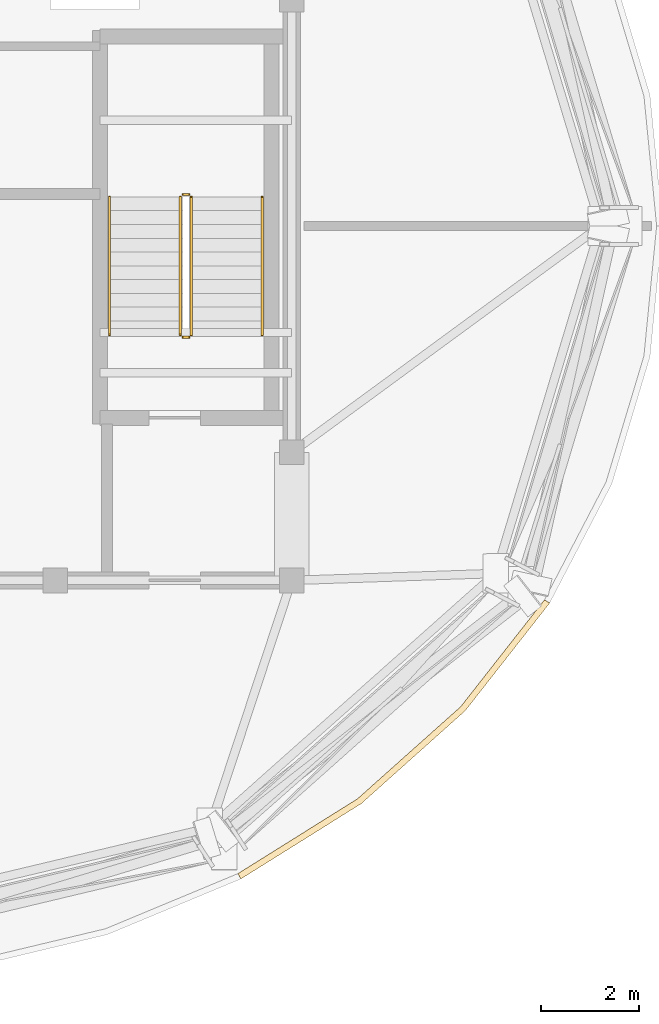
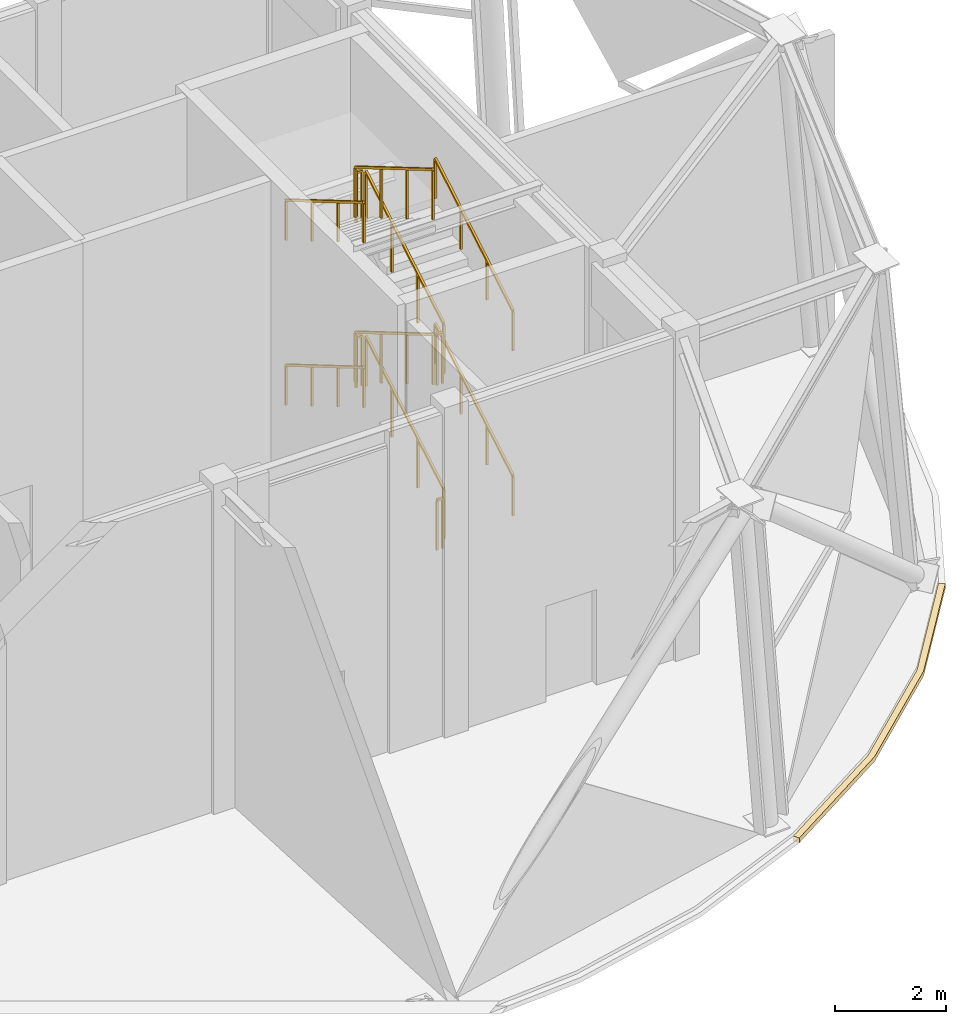
# One storey, part 8 of 9: 12 railings, 1 covering.
"""IFC4 building model written with IfcOpenShell, lengths in metres."""

from ifc_helpers import new_model, si_unit, direction, frame, origin, origin_2d, place, context, subcontext, project, spatial, polyline, rectangle, outline, extrude, material, layer, layer_set, type_object, element, save


model = new_model("IFC4")

# Units and contexts
model_context = context("Model", 3, precision=1e-05, world=origin(), true_north=direction((0.0, 1.0)))
body_context = subcontext(model_context, "Body", "Model", "MODEL_VIEW")
ifc_project = project(units=[si_unit("LENGTHUNIT", "METRE"), si_unit("AREAUNIT", "SQUARE_METRE"), si_unit("VOLUMEUNIT", "CUBIC_METRE"), si_unit("PLANEANGLEUNIT", "RADIAN"), si_unit("MASSUNIT", "GRAM", prefix="KILO")], contexts=[model_context])

# Site, building, storey
site_placement = place(None, origin())
site = spatial("IfcSite", under=ifc_project, at=site_placement, CompositionType="ELEMENT")
building_placement = place(site_placement, origin())
building = spatial("IfcBuilding", under=site, at=building_placement, Name="Vantalir Tower", CompositionType="ELEMENT")
storey_placement = place(building_placement, frame((0.0, 0.0, 311.75)))
storey = spatial("IfcBuildingStorey", under=building, at=storey_placement, Name="L77", CompositionType="ELEMENT", Elevation=311.75)

# Covering
ifc_material_1 = material(Name="Anodised champagne aluminium sill fascia", Category="aluminium")
ifc_layer = layer(ifc_material_1, 0.125)
ifc_layer_set = layer_set([ifc_layer], Name="Anodised champagne aluminium sill fascia")
covering_type = type_object("IfcCoveringType", Name="COV-SLAB-FASCIA-125", PredefinedType="CLADDING", material=ifc_layer_set)
covering_placement = place(storey_placement, frame((0.0, 0.0, -0.179931640625)))
element("IfcCovering", 1, at=covering_placement, inside=storey, type_object=covering_type, Name="L77 Perimeter Slab-Edge Sill Fascia 11", PredefinedType="CLADDING", context=body_context, shape_type="SweptSolid", body=[
    extrude(outline(polyline([(40.069091796875, 11.737060546875), (42.51611328125, 13.26806640625), (44.6279296875, 15.156005859375), (46.342041015625, 17.342041015625), (46.23388671875, 17.405029296875), (44.532958984375, 15.236083984375), (42.43603515625, 13.364013671875), (40.007080078125, 11.844970703125), (40.069091796875, 11.737060546875)])), origin(), (0.0, 0.0, 1.0), 0.10498046875),
])

# Railings
ifc_material_2 = material(Name="Anodised aluminium and stainless steel guard", Category="steel")
railing_type_1 = type_object("IfcRailingType", Name="RAL-GUARD-1120", PredefinedType="GUARDRAIL", material=ifc_material_2)
railing_1_placement = place(storey_placement, frame((39.06005859375, 22.7900390625, 0.164794921875)))
element("IfcRailing", 2, at=railing_1_placement, inside=storey, type_object=railing_type_1, Name="L77 ST2 stair guard 1", PredefinedType="GUARDRAIL", context=body_context, shape_type="SweptSolid", body=[
    extrude(rectangle(XDim=0.048095703125, YDim=0.048095703125, at=origin_2d()), frame((0.0, 0.0, 1.09619140625), z_axis=(0.0, 0.861851137157, 0.507161332695), x_axis=(-1.0, 0.0, 0.0)), (0.0, 0.0, 1.0), 3.248779296875),
    extrude(rectangle(XDim=0.0419921875, YDim=0.0419921875, at=origin_2d()), origin(), (0.0, 0.0, 1.0), 1.072021484375),
    extrude(rectangle(XDim=0.0419921875, YDim=0.0419921875, at=origin_2d()), frame((0.0, 0.933349609375, 0.54931640625)), (0.0, 0.0, 1.0), 1.072021484375),
    extrude(rectangle(XDim=0.0419921875, YDim=0.0419921875, at=origin_2d()), frame((0.0, 1.86669921875, 1.098388671875)), (0.0, 0.0, 1.0), 1.072021484375),
    extrude(rectangle(XDim=0.0419921875, YDim=0.0419921875, at=origin_2d()), frame((0.0, 2.800048828125, 1.647705078125)), (0.0, 0.0, 1.0), 1.072021484375),
])
railing_2_placement = place(storey_placement, frame((39.010009765625, 25.639892578125, 1.8125)))
element("IfcRailing", 3, at=railing_2_placement, inside=storey, type_object=railing_type_1, Name="L77 ST2 stair guard 2", PredefinedType="GUARDRAIL", context=body_context, shape_type="SweptSolid", body=[
    extrude(rectangle(XDim=0.048095703125, YDim=0.048095703125, at=origin_2d()), frame((0.0, 0.0, 1.09619140625), z_axis=(-1.0, 0.0, 0.0), x_axis=(0.0, -1.0, 0.0)), (0.0, 0.0, 1.0), 0.1201171875),
    extrude(rectangle(XDim=0.0419921875, YDim=0.0419921875, at=origin_2d()), origin(), (0.0, 0.0, 1.0), 1.072021484375),
    extrude(rectangle(XDim=0.0419921875, YDim=0.0419921875, at=origin_2d()), frame((-0.1201171875, 0.0, 0.0)), (0.0, 0.0, 1.0), 1.072021484375),
])
railing_3_placement = place(storey_placement, frame((38.840087890625, 25.590087890625, 1.977294921875)))
element("IfcRailing", 4, at=railing_3_placement, inside=storey, type_object=railing_type_1, Name="L77 ST2 stair guard 3", PredefinedType="GUARDRAIL", context=body_context, shape_type="SweptSolid", body=[
    extrude(rectangle(XDim=0.048095703125, YDim=0.048095703125, at=origin_2d()), frame((0.0, 0.0, 1.09619140625), z_axis=(0.0, -0.861851137157, 0.507161332695), x_axis=(1.0, 0.0, 0.0)), (0.0, 0.0, 1.0), 3.248779296875),
    extrude(rectangle(XDim=0.0419921875, YDim=0.0419921875, at=origin_2d()), origin(), (0.0, 0.0, 1.0), 1.072021484375),
    extrude(rectangle(XDim=0.0419921875, YDim=0.0419921875, at=origin_2d()), frame((0.0, -0.933349609375, 0.54931640625)), (0.0, 0.0, 1.0), 1.072021484375),
    extrude(rectangle(XDim=0.0419921875, YDim=0.0419921875, at=origin_2d()), frame((0.0, -1.86669921875, 1.098388671875)), (0.0, 0.0, 1.0), 1.072021484375),
    extrude(rectangle(XDim=0.0419921875, YDim=0.0419921875, at=origin_2d()), frame((0.0, -2.800048828125, 1.647705078125)), (0.0, 0.0, 1.0), 1.072021484375),
])
railing_4_placement = place(storey_placement, frame((39.010009765625, 22.739990234375, 3.625)))
element("IfcRailing", 5, at=railing_4_placement, inside=storey, type_object=railing_type_1, Name="L77 ST2 stair guard 4", PredefinedType="GUARDRAIL", context=body_context, shape_type="SweptSolid", body=[
    extrude(rectangle(XDim=0.048095703125, YDim=0.048095703125, at=origin_2d()), frame((0.0, 0.0, 1.09619140625), z_axis=(-1.0, 0.0, 0.0), x_axis=(0.0, -1.0, 0.0)), (0.0, 0.0, 1.0), 0.1201171875),
    extrude(rectangle(XDim=0.0419921875, YDim=0.0419921875, at=origin_2d()), origin(), (0.0, 0.0, 1.0), 1.072021484375),
    extrude(rectangle(XDim=0.0419921875, YDim=0.0419921875, at=origin_2d()), frame((-0.1201171875, 0.0, 0.0)), (0.0, 0.0, 1.0), 1.072021484375),
])
railing_5_placement = place(storey_placement, frame((39.06005859375, 22.7900390625, 3.789794921875)))
element("IfcRailing", 6, at=railing_5_placement, inside=storey, type_object=railing_type_1, Name="L77 ST2 stair guard 5", PredefinedType="GUARDRAIL", context=body_context, shape_type="SweptSolid", body=[
    extrude(rectangle(XDim=0.048095703125, YDim=0.048095703125, at=origin_2d()), frame((0.0, 0.0, 1.09619140625), z_axis=(0.0, 0.861851137157, 0.507161332695), x_axis=(-1.0, 0.0, 0.0)), (0.0, 0.0, 1.0), 3.248779296875),
    extrude(rectangle(XDim=0.0419921875, YDim=0.0419921875, at=origin_2d()), origin(), (0.0, 0.0, 1.0), 1.072021484375),
    extrude(rectangle(XDim=0.0419921875, YDim=0.0419921875, at=origin_2d()), frame((0.0, 0.933349609375, 0.54931640625)), (0.0, 0.0, 1.0), 1.072021484375),
    extrude(rectangle(XDim=0.0419921875, YDim=0.0419921875, at=origin_2d()), frame((0.0, 1.86669921875, 1.098388671875)), (0.0, 0.0, 1.0), 1.072021484375),
    extrude(rectangle(XDim=0.0419921875, YDim=0.0419921875, at=origin_2d()), frame((0.0, 2.800048828125, 1.647705078125)), (0.0, 0.0, 1.0), 1.072021484375),
])
railing_6_placement = place(storey_placement, frame((39.010009765625, 25.639892578125, 5.4375)))
element("IfcRailing", 7, at=railing_6_placement, inside=storey, type_object=railing_type_1, Name="L77 ST2 stair guard 6", PredefinedType="GUARDRAIL", context=body_context, shape_type="SweptSolid", body=[
    extrude(rectangle(XDim=0.048095703125, YDim=0.048095703125, at=origin_2d()), frame((0.0, 0.0, 1.09619140625), z_axis=(-1.0, 0.0, 0.0), x_axis=(0.0, -1.0, 0.0)), (0.0, 0.0, 1.0), 0.1201171875),
    extrude(rectangle(XDim=0.0419921875, YDim=0.0419921875, at=origin_2d()), origin(), (0.0, 0.0, 1.0), 1.072021484375),
    extrude(rectangle(XDim=0.0419921875, YDim=0.0419921875, at=origin_2d()), frame((-0.1201171875, 0.0, 0.0)), (0.0, 0.0, 1.0), 1.072021484375),
])
railing_7_placement = place(storey_placement, frame((38.840087890625, 25.590087890625, 5.602294921875)))
element("IfcRailing", 8, at=railing_7_placement, inside=storey, type_object=railing_type_1, Name="L77 ST2 stair guard 7", PredefinedType="GUARDRAIL", context=body_context, shape_type="SweptSolid", body=[
    extrude(rectangle(XDim=0.048095703125, YDim=0.048095703125, at=origin_2d()), frame((0.0, 0.0, 1.09619140625), z_axis=(0.0, -0.861851137157, 0.507161332695), x_axis=(1.0, 0.0, 0.0)), (0.0, 0.0, 1.0), 3.248779296875),
    extrude(rectangle(XDim=0.0419921875, YDim=0.0419921875, at=origin_2d()), origin(), (0.0, 0.0, 1.0), 1.072021484375),
    extrude(rectangle(XDim=0.0419921875, YDim=0.0419921875, at=origin_2d()), frame((0.0, -0.933349609375, 0.54931640625)), (0.0, 0.0, 1.0), 1.072021484375),
    extrude(rectangle(XDim=0.0419921875, YDim=0.0419921875, at=origin_2d()), frame((0.0, -1.86669921875, 1.098388671875)), (0.0, 0.0, 1.0), 1.072021484375),
    extrude(rectangle(XDim=0.0419921875, YDim=0.0419921875, at=origin_2d()), frame((0.0, -2.800048828125, 1.647705078125)), (0.0, 0.0, 1.0), 1.072021484375),
])
railing_8_placement = place(storey_placement, frame((39.010009765625, 22.739990234375, 0.0)))
element("IfcRailing", 9, at=railing_8_placement, inside=storey, type_object=railing_type_1, Name="L77 ST2 stair guard 8", PredefinedType="GUARDRAIL", context=body_context, shape_type="SweptSolid", body=[
    extrude(rectangle(XDim=0.048095703125, YDim=0.048095703125, at=origin_2d()), frame((0.0, 0.0, 1.09619140625), z_axis=(-1.0, 0.0, 0.0), x_axis=(0.0, -1.0, 0.0)), (0.0, 0.0, 1.0), 0.1201171875),
    extrude(rectangle(XDim=0.0419921875, YDim=0.0419921875, at=origin_2d()), origin(), (0.0, 0.0, 1.0), 1.072021484375),
    extrude(rectangle(XDim=0.0419921875, YDim=0.0419921875, at=origin_2d()), frame((-0.1201171875, 0.0, 0.0)), (0.0, 0.0, 1.0), 1.072021484375),
])
ifc_material_3 = material(Name="Brushed stainless steel tubular handrail", Category="steel")
railing_type_2 = type_object("IfcRailingType", Name="RAL-HANDRAIL-900", PredefinedType="HANDRAIL", material=ifc_material_3)
railing_9_placement = place(storey_placement, frame((40.5, 22.7900390625, 0.164794921875)))
element("IfcRailing", 10, at=railing_9_placement, inside=storey, type_object=railing_type_2, Name="L77 ST2 stair handrail 1", PredefinedType="HANDRAIL", context=body_context, shape_type="SweptSolid", body=[
    extrude(rectangle(XDim=0.048095703125, YDim=0.048095703125, at=origin_2d()), frame((0.0, 0.0, 0.8759765625), z_axis=(0.0, 0.861851137157, 0.507161332695), x_axis=(-1.0, 0.0, 0.0)), (0.0, 0.0, 1.0), 3.248779296875),
    extrude(rectangle(XDim=0.0419921875, YDim=0.0419921875, at=origin_2d()), origin(), (0.0, 0.0, 1.0), 0.851806640625),
    extrude(rectangle(XDim=0.0419921875, YDim=0.0419921875, at=origin_2d()), frame((0.0, 0.933349609375, 0.54931640625)), (0.0, 0.0, 1.0), 0.851806640625),
    extrude(rectangle(XDim=0.0419921875, YDim=0.0419921875, at=origin_2d()), frame((0.0, 1.86669921875, 1.098388671875)), (0.0, 0.0, 1.0), 0.851806640625),
    extrude(rectangle(XDim=0.0419921875, YDim=0.0419921875, at=origin_2d()), frame((0.0, 2.800048828125, 1.647705078125)), (0.0, 0.0, 1.0), 0.851806640625),
])
railing_10_placement = place(storey_placement, frame((37.39990234375, 25.590087890625, 1.977294921875)))
element("IfcRailing", 11, at=railing_10_placement, inside=storey, type_object=railing_type_2, Name="L77 ST2 stair handrail 2", PredefinedType="HANDRAIL", context=body_context, shape_type="SweptSolid", body=[
    extrude(rectangle(XDim=0.048095703125, YDim=0.048095703125, at=origin_2d()), frame((0.0, 0.0, 0.8759765625), z_axis=(0.0, -0.861851137157, 0.507161332695), x_axis=(1.0, 0.0, 0.0)), (0.0, 0.0, 1.0), 3.248779296875),
    extrude(rectangle(XDim=0.0419921875, YDim=0.0419921875, at=origin_2d()), origin(), (0.0, 0.0, 1.0), 0.851806640625),
    extrude(rectangle(XDim=0.0419921875, YDim=0.0419921875, at=origin_2d()), frame((0.0, -0.933349609375, 0.54931640625)), (0.0, 0.0, 1.0), 0.851806640625),
    extrude(rectangle(XDim=0.0419921875, YDim=0.0419921875, at=origin_2d()), frame((0.0, -1.86669921875, 1.098388671875)), (0.0, 0.0, 1.0), 0.851806640625),
    extrude(rectangle(XDim=0.0419921875, YDim=0.0419921875, at=origin_2d()), frame((0.0, -2.800048828125, 1.647705078125)), (0.0, 0.0, 1.0), 0.851806640625),
])
railing_11_placement = place(storey_placement, frame((40.5, 22.7900390625, 3.789794921875)))
element("IfcRailing", 12, at=railing_11_placement, inside=storey, type_object=railing_type_2, Name="L77 ST2 stair handrail 3", PredefinedType="HANDRAIL", context=body_context, shape_type="SweptSolid", body=[
    extrude(rectangle(XDim=0.048095703125, YDim=0.048095703125, at=origin_2d()), frame((0.0, 0.0, 0.8759765625), z_axis=(0.0, 0.861851137157, 0.507161332695), x_axis=(-1.0, 0.0, 0.0)), (0.0, 0.0, 1.0), 3.248779296875),
    extrude(rectangle(XDim=0.0419921875, YDim=0.0419921875, at=origin_2d()), origin(), (0.0, 0.0, 1.0), 0.851806640625),
    extrude(rectangle(XDim=0.0419921875, YDim=0.0419921875, at=origin_2d()), frame((0.0, 0.933349609375, 0.54931640625)), (0.0, 0.0, 1.0), 0.851806640625),
    extrude(rectangle(XDim=0.0419921875, YDim=0.0419921875, at=origin_2d()), frame((0.0, 1.86669921875, 1.098388671875)), (0.0, 0.0, 1.0), 0.851806640625),
    extrude(rectangle(XDim=0.0419921875, YDim=0.0419921875, at=origin_2d()), frame((0.0, 2.800048828125, 1.647705078125)), (0.0, 0.0, 1.0), 0.851806640625),
])
railing_12_placement = place(storey_placement, frame((37.39990234375, 25.590087890625, 5.602294921875)))
element("IfcRailing", 13, at=railing_12_placement, inside=storey, type_object=railing_type_2, Name="L77 ST2 stair handrail 4", PredefinedType="HANDRAIL", context=body_context, shape_type="SweptSolid", body=[
    extrude(rectangle(XDim=0.048095703125, YDim=0.048095703125, at=origin_2d()), frame((0.0, 0.0, 0.8759765625), z_axis=(0.0, -0.861851137157, 0.507161332695), x_axis=(1.0, 0.0, 0.0)), (0.0, 0.0, 1.0), 3.248779296875),
    extrude(rectangle(XDim=0.0419921875, YDim=0.0419921875, at=origin_2d()), origin(), (0.0, 0.0, 1.0), 0.851806640625),
    extrude(rectangle(XDim=0.0419921875, YDim=0.0419921875, at=origin_2d()), frame((0.0, -0.933349609375, 0.54931640625)), (0.0, 0.0, 1.0), 0.851806640625),
    extrude(rectangle(XDim=0.0419921875, YDim=0.0419921875, at=origin_2d()), frame((0.0, -1.86669921875, 1.098388671875)), (0.0, 0.0, 1.0), 0.851806640625),
    extrude(rectangle(XDim=0.0419921875, YDim=0.0419921875, at=origin_2d()), frame((0.0, -2.800048828125, 1.647705078125)), (0.0, 0.0, 1.0), 0.851806640625),
])

save(model, "model.ifc")
